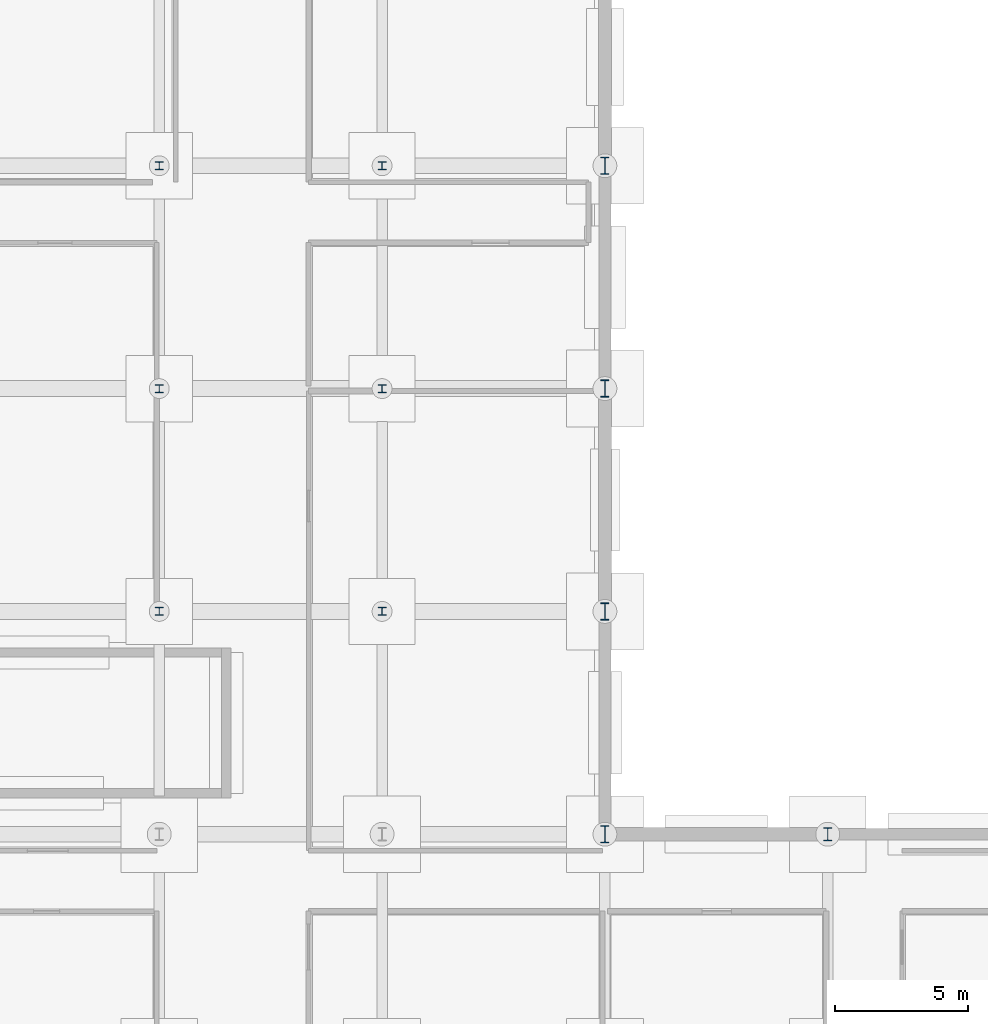
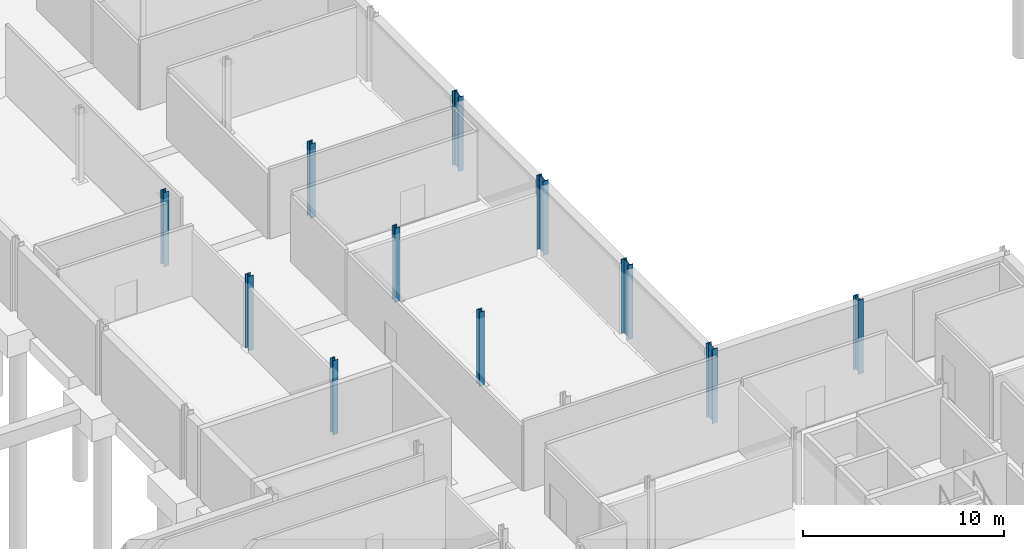
# One storey, part 12 of 43: 11 columns.
"""IFC4 building model written with IfcOpenShell, lengths in metres."""

from ifc_helpers import new_model, si_unit, direction, frame, origin, origin_2d, place, context, subcontext, project, spatial, i_section, extrude, material, material_profile, profile_set, type_object, element, save


model = new_model("IFC4")

# Units and contexts
model_context = context("Model", 3, precision=1e-05, world=origin(), true_north=direction((0.0, 1.0)))
body_context = subcontext(model_context, "Body", "Model", "MODEL_VIEW")
ifc_project = project(units=[si_unit("LENGTHUNIT", "METRE"), si_unit("AREAUNIT", "SQUARE_METRE"), si_unit("VOLUMEUNIT", "CUBIC_METRE"), si_unit("PLANEANGLEUNIT", "RADIAN"), si_unit("MASSUNIT", "GRAM", prefix="KILO")], contexts=[model_context])

# Site, building, storey
site_placement = place(None, origin())
site = spatial("IfcSite", under=ifc_project, at=site_placement, CompositionType="ELEMENT")
building_placement = place(site_placement, origin())
building = spatial("IfcBuilding", under=site, at=building_placement, Name="Mersafa Astral City Hall", CompositionType="ELEMENT")
storey_placement = place(building_placement, frame((0.0, 0.0, -4.5)))
storey = spatial("IfcBuildingStorey", under=building, at=storey_placement, Name="B1", CompositionType="ELEMENT", Elevation=-4.5)

# Columns
ifc_material = material(Name="Steel S355", Category="steel")
ifc_material_profile_1 = material_profile(ifc_material, i_section(OverallWidth=0.300048828125, OverallDepth=0.300048828125, WebThickness=0.010986328125, FlangeThickness=0.01904296875, FilletRadius=0.027099609375, at=origin_2d()), Name="HEB 300")
ifc_profile_set_1 = profile_set([ifc_material_profile_1], Name="Steel S355")
column_type_1 = type_object("IfcColumnType", Name="STR-COL-HEB300", PredefinedType="COLUMN", material=ifc_profile_set_1)
for number, where, z_axis, x_axis, name in (
    (1, (100.800048828125, 42.0, 0.0), (0.0, 0.0, 1.0), (1.0, 0.0, 0.0), "B1 Structural column G-12-05"),
    (2, (100.800048828125, 50.39990234375, 0.0), (0.0, 0.0, 1.0), (1.0, 0.0, 0.0), "B1 Structural column G-12-06"),
    (3, (100.800048828125, 58.800048828125, 0.0), (0.0, 0.0, 1.0), (1.0, 0.0, 0.0), "B1 Structural column G-12-07"),
    (4, (109.199951171875, 42.0, 0.0), (0.0, 0.0, 1.0), (1.0, 0.0, 0.0), "B1 Structural column G-13-05"),
    (5, (109.199951171875, 50.39990234375, 0.0), (0.0, 0.0, 1.0), (1.0, 0.0, 0.0), "B1 Structural column G-13-06"),
    (6, (109.199951171875, 58.800048828125, 0.0), (0.0, 0.0, 1.0), (1.0, 0.0, 0.0), "B1 Structural column G-13-07"),
):
    element("IfcColumn", number, at=place(storey_placement, frame(where, z_axis=z_axis, x_axis=x_axis)), inside=storey, type_object=column_type_1, Name=name, PredefinedType="COLUMN", context=body_context, shape_type="SweptSolid", body=[
        extrude(i_section(OverallWidth=0.300048828125, OverallDepth=0.300048828125, WebThickness=0.010986328125, FlangeThickness=0.01904296875, FilletRadius=0.027099609375, at=origin_2d()), origin(), (0.0, 0.0, 1.0), 4.5),
    ])
ifc_material_profile_2 = material_profile(ifc_material, i_section(OverallWidth=0.300048828125, OverallDepth=0.5, WebThickness=0.014404296875, FlangeThickness=0.028076171875, FilletRadius=0.027099609375, at=origin_2d()), Name="HEB 500")
ifc_profile_set_2 = profile_set([ifc_material_profile_2], Name="Steel S355")
column_type_2 = type_object("IfcColumnType", Name="STR-COL-HEB500", PredefinedType="COLUMN", material=ifc_profile_set_2)
column_placement = place(storey_placement, frame((126.0, 33.60009765625, 0.0), z_axis=(0.0, 0.0, 1.0), x_axis=(1.0, 0.0, 0.0)))
element("IfcColumn", 7, at=column_placement, inside=storey, type_object=column_type_2, Name="B1 Structural column G-15-04", PredefinedType="COLUMN", context=body_context, shape_type="SweptSolid", body=[
    extrude(i_section(OverallWidth=0.300048828125, OverallDepth=0.5, WebThickness=0.014404296875, FlangeThickness=0.028076171875, FilletRadius=0.027099609375, at=origin_2d()), origin(), (0.0, 0.0, 1.0), 4.5),
])
ifc_material_profile_3 = material_profile(ifc_material, i_section(OverallWidth=0.300048828125, OverallDepth=0.64990234375, WebThickness=0.01611328125, FlangeThickness=0.031005859375, FilletRadius=0.027099609375, at=origin_2d()), Name="HEB 650")
ifc_profile_set_3 = profile_set([ifc_material_profile_3], Name="Steel S355")
column_type_3 = type_object("IfcColumnType", Name="STR-COL-HEB650", PredefinedType="COLUMN", material=ifc_profile_set_3)
for number, where, z_axis, x_axis, name in (
    (8, (117.60009765625, 33.60009765625, 0.0), (0.0, 0.0, 1.0), (1.0, 0.0, 0.0), "B1 Structural column G-14-04"),
    (9, (117.60009765625, 42.0, 0.0), (0.0, 0.0, 1.0), (1.0, 0.0, 0.0), "B1 Structural column G-14-05"),
    (10, (117.60009765625, 50.39990234375, 0.0), (0.0, 0.0, 1.0), (1.0, 0.0, 0.0), "B1 Structural column G-14-06"),
    (11, (117.60009765625, 58.800048828125, 0.0), (0.0, 0.0, 1.0), (1.0, 0.0, 0.0), "B1 Structural column G-14-07"),
):
    element("IfcColumn", number, at=place(storey_placement, frame(where, z_axis=z_axis, x_axis=x_axis)), inside=storey, type_object=column_type_3, Name=name, PredefinedType="COLUMN", context=body_context, shape_type="SweptSolid", body=[
        extrude(i_section(OverallWidth=0.300048828125, OverallDepth=0.64990234375, WebThickness=0.01611328125, FlangeThickness=0.031005859375, FilletRadius=0.027099609375, at=origin_2d()), origin(), (0.0, 0.0, 1.0), 4.5),
    ])

save(model, "model.ifc")
